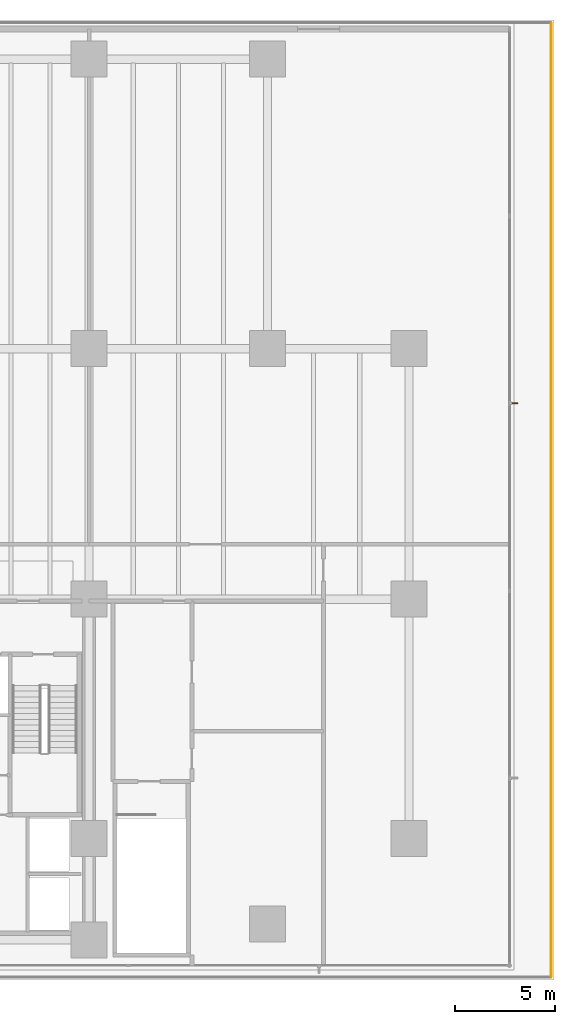
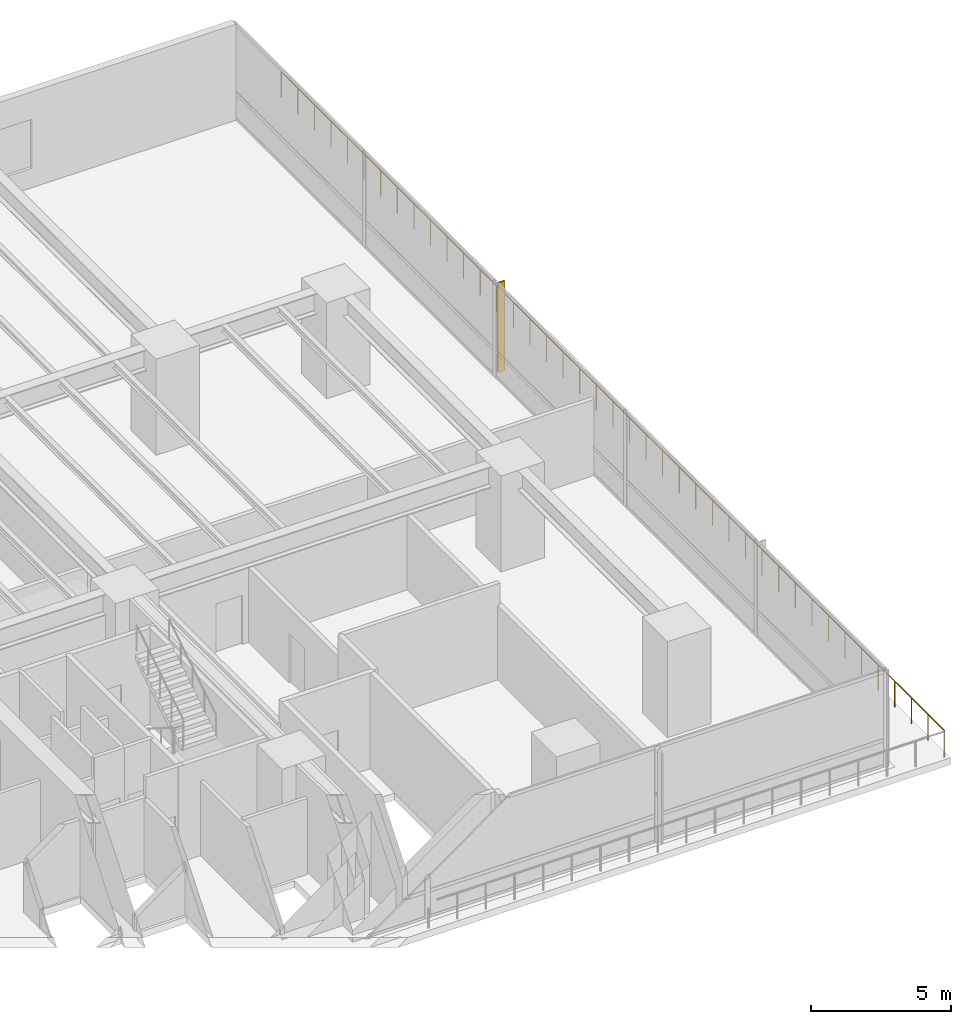
# One storey, part 19 of 21: 1 railing, 1 shading device.
"""IFC4 building model written with IfcOpenShell, lengths in metres."""

from ifc_helpers import new_model, si_unit, direction, frame, origin, origin_2d, place, context, subcontext, project, spatial, polyline, circle, outline, extrude, material, layer, layer_set, type_object, element, save


model = new_model("IFC4")

# Units and contexts
model_context = context("Model", 3, precision=1e-05, world=origin(), true_north=direction((0.0, 1.0)))
body_context = subcontext(model_context, "Body", "Model", "MODEL_VIEW")
ifc_project = project(units=[si_unit("LENGTHUNIT", "METRE"), si_unit("AREAUNIT", "SQUARE_METRE"), si_unit("VOLUMEUNIT", "CUBIC_METRE"), si_unit("PLANEANGLEUNIT", "RADIAN"), si_unit("MASSUNIT", "GRAM", prefix="KILO")], contexts=[model_context])

# Site, building, storey
site_placement = place(None, origin())
site = spatial("IfcSite", under=ifc_project, at=site_placement, CompositionType="ELEMENT")
building_placement = place(site_placement, origin())
building = spatial("IfcBuilding", under=site, at=building_placement, Name="Qalmaran Belvedere Hotel", CompositionType="ELEMENT")
storey_placement = place(building_placement, frame((0.0, 0.0, 23.800048828125)))
storey = spatial("IfcBuildingStorey", under=building, at=storey_placement, Name="L05", CompositionType="ELEMENT", Elevation=23.800048828125)

# Shading device
ifc_material = material(Name="Anodised Bronze Aluminium", Category="aluminium")
ifc_layer = layer(ifc_material, 0.06494140625, Name="Anodised Bronze Aluminium")
ifc_layer_set = layer_set([ifc_layer], Name="Anodised Bronze Aluminium")
shading_device_type = type_object("IfcShadingDeviceType", Name="FIN-BRNZ-300", PredefinedType="USERDEFINED", material=ifc_layer_set)
shading_device_placement = place(storey_placement, frame((0.0, 0.0, 0.159912109375)))
element("IfcShadingDevice", 1, at=shading_device_placement, inside=storey, type_object=shading_device_type, Name="L05 Bronze Fin 3", ObjectType="FIN", PredefinedType="USERDEFINED", context=body_context, shape_type="SweptSolid", body=[
    extrude(outline(polyline([(65.87255859375, 30.243408203125), (66.172607421875, 30.243408203125), (66.172607421875, 30.30859375), (65.87255859375, 30.30859375), (65.87255859375, 30.243408203125)])), origin(), (0.0, 0.0, 1.0), 3.919921875),
])

# Railing
railing_type = type_object("IfcRailingType", Name="GRD-TERR-1150", PredefinedType="BALUSTRADE", material=ifc_material)
railing_placement = place(storey_placement, frame((67.860107421875, 1.675048828125, 0.0)))
element("IfcRailing", 2, at=railing_placement, inside=storey, type_object=railing_type, Name="L05 Guardrail L05-TERR-2", PredefinedType="BALUSTRADE", context=body_context, shape_type="SweptSolid", body=[
    extrude(circle(Radius=0.02392578125, at=origin_2d()), frame((0.0, 0.0, 1.1259765625), z_axis=(0.0, 1.0, 0.0), x_axis=(-1.0, 0.0, 0.0)), (0.0, 0.0, 1.0), 47.550048828125),
    extrude(circle(Radius=0.02099609375, at=origin_2d()), origin(), (0.0, 0.0, 1.0), 1.101806640625),
    extrude(circle(Radius=0.02099609375, at=origin_2d()), frame((0.0, 1.188720703125, 0.0)), (0.0, 0.0, 1.0), 1.101806640625),
    extrude(circle(Radius=0.02099609375, at=origin_2d()), frame((0.0, 2.37744140625, 0.0)), (0.0, 0.0, 1.0), 1.101806640625),
    extrude(circle(Radius=0.02099609375, at=origin_2d()), frame((0.0, 3.566162109375, 0.0)), (0.0, 0.0, 1.0), 1.101806640625),
    extrude(circle(Radius=0.02099609375, at=origin_2d()), frame((0.0, 4.7548828125, 0.0)), (0.0, 0.0, 1.0), 1.101806640625),
    extrude(circle(Radius=0.02099609375, at=origin_2d()), frame((0.0, 5.94384765625, 0.0)), (0.0, 0.0, 1.0), 1.101806640625),
    extrude(circle(Radius=0.02099609375, at=origin_2d()), frame((0.0, 7.132568359375, 0.0)), (0.0, 0.0, 1.0), 1.101806640625),
    extrude(circle(Radius=0.02099609375, at=origin_2d()), frame((0.0, 8.3212890625, 0.0)), (0.0, 0.0, 1.0), 1.101806640625),
    extrude(circle(Radius=0.02099609375, at=origin_2d()), frame((0.0, 9.510009765625, 0.0)), (0.0, 0.0, 1.0), 1.101806640625),
    extrude(circle(Radius=0.02099609375, at=origin_2d()), frame((0.0, 10.69873046875, 0.0)), (0.0, 0.0, 1.0), 1.101806640625),
    extrude(circle(Radius=0.02099609375, at=origin_2d()), frame((0.0, 11.887451171875, 0.0)), (0.0, 0.0, 1.0), 1.101806640625),
    extrude(circle(Radius=0.02099609375, at=origin_2d()), frame((0.0, 13.076171875, 0.0)), (0.0, 0.0, 1.0), 1.101806640625),
    extrude(circle(Radius=0.02099609375, at=origin_2d()), frame((0.0, 14.26513671875, 0.0)), (0.0, 0.0, 1.0), 1.101806640625),
    extrude(circle(Radius=0.02099609375, at=origin_2d()), frame((0.0, 15.453857421875, 0.0)), (0.0, 0.0, 1.0), 1.101806640625),
    extrude(circle(Radius=0.02099609375, at=origin_2d()), frame((0.0, 16.642578125, 0.0)), (0.0, 0.0, 1.0), 1.101806640625),
    extrude(circle(Radius=0.02099609375, at=origin_2d()), frame((0.0, 17.831298828125, 0.0)), (0.0, 0.0, 1.0), 1.101806640625),
    extrude(circle(Radius=0.02099609375, at=origin_2d()), frame((0.0, 19.02001953125, 0.0)), (0.0, 0.0, 1.0), 1.101806640625),
    extrude(circle(Radius=0.02099609375, at=origin_2d()), frame((0.0, 20.208740234375, 0.0)), (0.0, 0.0, 1.0), 1.101806640625),
    extrude(circle(Radius=0.02099609375, at=origin_2d()), frame((0.0, 21.3974609375, 0.0)), (0.0, 0.0, 1.0), 1.101806640625),
    extrude(circle(Radius=0.02099609375, at=origin_2d()), frame((0.0, 22.586181640625, 0.0)), (0.0, 0.0, 1.0), 1.101806640625),
    extrude(circle(Radius=0.02099609375, at=origin_2d()), frame((0.0, 23.77490234375, 0.0)), (0.0, 0.0, 1.0), 1.101806640625),
    extrude(circle(Radius=0.02099609375, at=origin_2d()), frame((0.0, 24.9638671875, 0.0)), (0.0, 0.0, 1.0), 1.101806640625),
    extrude(circle(Radius=0.02099609375, at=origin_2d()), frame((0.0, 26.152587890625, 0.0)), (0.0, 0.0, 1.0), 1.101806640625),
    extrude(circle(Radius=0.02099609375, at=origin_2d()), frame((0.0, 27.34130859375, 0.0)), (0.0, 0.0, 1.0), 1.101806640625),
    extrude(circle(Radius=0.02099609375, at=origin_2d()), frame((0.0, 28.530029296875, 0.0)), (0.0, 0.0, 1.0), 1.101806640625),
    extrude(circle(Radius=0.02099609375, at=origin_2d()), frame((0.0, 29.71875, 0.0)), (0.0, 0.0, 1.0), 1.101806640625),
    extrude(circle(Radius=0.02099609375, at=origin_2d()), frame((0.0, 30.907470703125, 0.0)), (0.0, 0.0, 1.0), 1.101806640625),
    extrude(circle(Radius=0.02099609375, at=origin_2d()), frame((0.0, 32.09619140625, 0.0)), (0.0, 0.0, 1.0), 1.101806640625),
    extrude(circle(Radius=0.02099609375, at=origin_2d()), frame((0.0, 33.28515625, 0.0)), (0.0, 0.0, 1.0), 1.101806640625),
    extrude(circle(Radius=0.02099609375, at=origin_2d()), frame((0.0, 34.473876953125, 0.0)), (0.0, 0.0, 1.0), 1.101806640625),
    extrude(circle(Radius=0.02099609375, at=origin_2d()), frame((0.0, 35.66259765625, 0.0)), (0.0, 0.0, 1.0), 1.101806640625),
    extrude(circle(Radius=0.02099609375, at=origin_2d()), frame((0.0, 36.851318359375, 0.0)), (0.0, 0.0, 1.0), 1.101806640625),
    extrude(circle(Radius=0.02099609375, at=origin_2d()), frame((0.0, 38.0400390625, 0.0)), (0.0, 0.0, 1.0), 1.101806640625),
    extrude(circle(Radius=0.02099609375, at=origin_2d()), frame((0.0, 39.228759765625, 0.0)), (0.0, 0.0, 1.0), 1.101806640625),
    extrude(circle(Radius=0.02099609375, at=origin_2d()), frame((0.0, 40.41748046875, 0.0)), (0.0, 0.0, 1.0), 1.101806640625),
    extrude(circle(Radius=0.02099609375, at=origin_2d()), frame((0.0, 41.606201171875, 0.0)), (0.0, 0.0, 1.0), 1.101806640625),
    extrude(circle(Radius=0.02099609375, at=origin_2d()), frame((0.0, 42.794921875, 0.0)), (0.0, 0.0, 1.0), 1.101806640625),
    extrude(circle(Radius=0.02099609375, at=origin_2d()), frame((0.0, 43.98388671875, 0.0)), (0.0, 0.0, 1.0), 1.101806640625),
    extrude(circle(Radius=0.02099609375, at=origin_2d()), frame((0.0, 45.172607421875, 0.0)), (0.0, 0.0, 1.0), 1.101806640625),
    extrude(circle(Radius=0.02099609375, at=origin_2d()), frame((0.0, 46.361328125, 0.0)), (0.0, 0.0, 1.0), 1.101806640625),
    extrude(circle(Radius=0.02099609375, at=origin_2d()), frame((0.0, 47.550048828125, 0.0)), (0.0, 0.0, 1.0), 1.101806640625),
])

save(model, "model.ifc")
